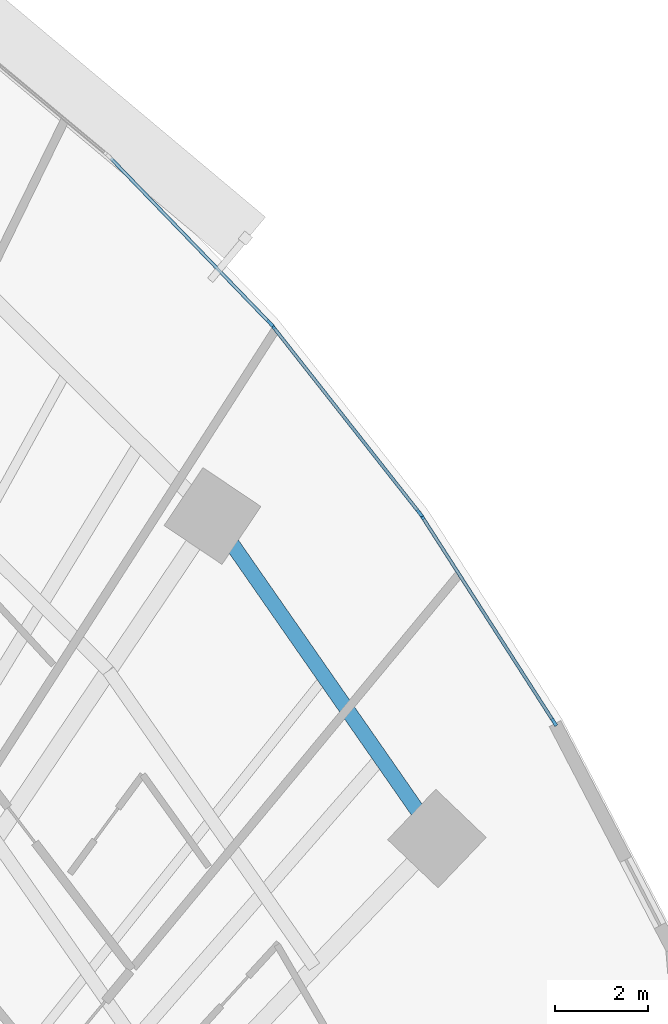
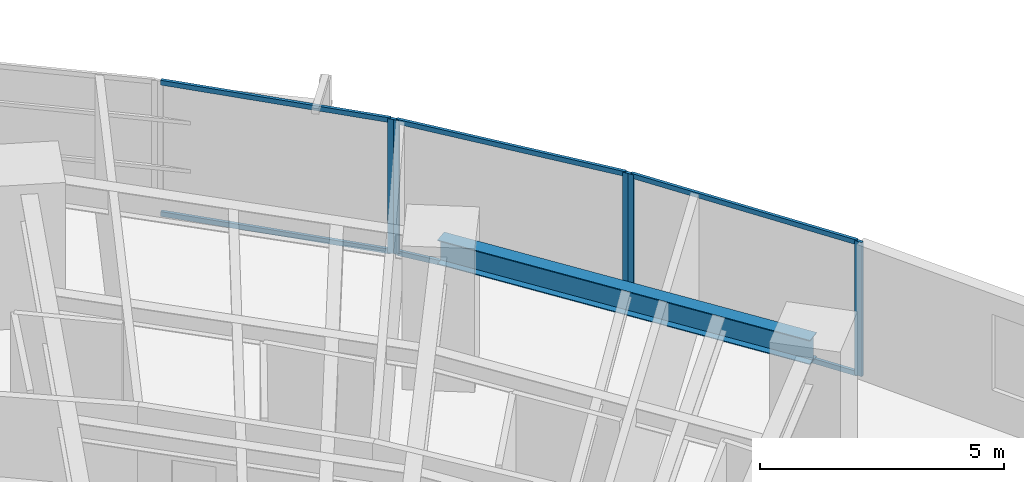
# One storey, part 8 of 17: 11 members, 1 beam, 3 elements without a shape of their own.
"""IFC4 building model written with IfcOpenShell, lengths in metres."""

import ifcopenshell
import ifcopenshell.guid

model = None  # the IFC model being written
_history = None  # IfcOwnerHistory: only IFC2X3 demands one
_inside = {}  # id of a spatial element -> (the spatial element, [elements in it])
_under = {}  # id of a project, library or spatial element -> (it, [spatial elements below it])
_declared = {}  # id of a project -> (the project, [libraries it declares])
_typed = {}  # id of a type object -> (the type object, [elements of that type])
_made_of = {}  # id of a material, layer set ... -> (it, [elements and type objects made of it])


def new_model(schema):
    """Start an empty IFC model of exactly this schema.

    Asked for "IFC4X3", IfcOpenShell would pick the latest addendum, in which some entities
    have other attributes; the version numbers below select the first issue.
    IFC2X3 requires an IfcOwnerHistory on every rooted entity: one is made here for all.
    """
    global model, _history
    if schema == "IFC4X3":
        model = ifcopenshell.file(schema_version=(4, 3, 0, 0))
    else:
        model = ifcopenshell.file(schema=schema)
    _inside.clear()
    _under.clear()
    _declared.clear()
    _typed.clear()
    _made_of.clear()
    _history = None
    if model.schema == "IFC2X3":
        org = make("IfcOrganization", Name="unknown")
        user = make(
            "IfcPersonAndOrganization",
            ThePerson=make("IfcPerson", FamilyName="unknown"),
            TheOrganization=org,
        )
        app = make(
            "IfcApplication",
            ApplicationDeveloper=org,
            Version="unknown",
            ApplicationFullName="unknown",
            ApplicationIdentifier="unknown",
        )
        _history = make(
            "IfcOwnerHistory",
            OwningUser=user,
            OwningApplication=app,
            ChangeAction="ADDED",
            CreationDate=0,
        )
    return model


def make(cls, **values):
    """One entity of the class cls with the attributes given. An attribute that is None is left unset."""
    return model.create_entity(
        cls, **{name: value for name, value in values.items() if value is not None}
    )


def rooted(cls, **values):
    """An entity with a GlobalId (a new one), such as an element, a storey or a relation."""
    return make(cls, GlobalId=ifcopenshell.guid.new(), OwnerHistory=_history, **values)


def si_unit(unit_type, name, prefix=None):
    """IfcSIUnit, for example si_unit("LENGTHUNIT", "METRE", prefix="MILLI")."""
    return make("IfcSIUnit", UnitType=unit_type, Prefix=prefix, Name=name)


def assignment(units):
    """IfcUnitAssignment: the units of a project."""
    return None if units is None else make("IfcUnitAssignment", Units=units)


def point(xyz):
    """IfcCartesianPoint."""
    return None if xyz is None else make("IfcCartesianPoint", Coordinates=xyz)


def direction(xyz):
    """IfcDirection."""
    return None if xyz is None else make("IfcDirection", DirectionRatios=xyz)


def frame(location, z_axis=None, x_axis=None):
    """IfcAxis2Placement3D, a coordinate frame: its origin and axes. An axis left out is left unset."""
    return make(
        "IfcAxis2Placement3D",
        Location=point(location),
        Axis=direction(z_axis),
        RefDirection=direction(x_axis),
    )


def frame_2d(location, x_axis=None):
    """IfcAxis2Placement2D, a coordinate frame in the plane: its origin and x axis."""
    return make(
        "IfcAxis2Placement2D", Location=point(location), RefDirection=direction(x_axis)
    )


def origin():
    """The frame at (0, 0, 0) with its axes left unset."""
    return frame((0.0, 0.0, 0.0))


def origin_2d():
    """The frame at (0, 0) in the plane with its x axis left unset."""
    return frame_2d((0.0, 0.0))


def place(relative_to, where):
    """IfcLocalPlacement: puts the frame where relative to a parent placement (None: the world)."""
    return make(
        "IfcLocalPlacement", PlacementRelTo=relative_to, RelativePlacement=where
    )


def context(
    kind, dimensions, precision=None, world=None, true_north=None, identifier=None
):
    """IfcGeometricRepresentationContext, for example the 3D "Model" context."""
    return make(
        "IfcGeometricRepresentationContext",
        ContextIdentifier=identifier,
        ContextType=kind,
        CoordinateSpaceDimension=dimensions,
        Precision=precision,
        WorldCoordinateSystem=world,
        TrueNorth=true_north,
    )


def subcontext(parent, identifier, kind, view, scale=None):
    """IfcGeometricRepresentationSubContext, for example "Body" below "Model"."""
    return make(
        "IfcGeometricRepresentationSubContext",
        ContextIdentifier=identifier,
        ContextType=kind,
        ParentContext=parent,
        TargetScale=scale,
        TargetView=view,
    )


def project(units=None, contexts=None):
    """IfcProject with its units and contexts."""
    return rooted(
        "IfcProject",
        Name="project",
        RepresentationContexts=contexts,
        UnitsInContext=assignment(units),
    )


def spatial(cls, under=None, at=None, **own):
    """A site, building, storey or space (cls), placed at a placement, below another one or the project."""
    s = rooted(cls, ObjectPlacement=at, **own)
    if under is not None:
        _under.setdefault(under.id(), (under, []))[1].append(s)
    return s


def profile(cls, at=None, kind="AREA", **sizes):
    """A parametric profile (cls). Its sizes go by their IFC names, for example OverallWidth=200.0."""
    return make(cls, ProfileType=kind, Position=at, **sizes)


def rectangle(**sizes):
    """IfcRectangleProfileDef."""
    return profile("IfcRectangleProfileDef", **sizes)


def i_section(**sizes):
    """IfcIShapeProfileDef."""
    return profile("IfcIShapeProfileDef", **sizes)


def extrude(swept, where, along, depth):
    """IfcExtrudedAreaSolid: the profile swept, set in the frame where, extruded along a direction by depth."""
    return make(
        "IfcExtrudedAreaSolid",
        SweptArea=swept,
        Position=where,
        ExtrudedDirection=direction(along),
        Depth=depth,
    )


def shape(context_of_items, identifier, shape_type, items):
    """IfcShapeRepresentation: the items that make up one representation, for example the "Body"."""
    return make(
        "IfcShapeRepresentation",
        ContextOfItems=context_of_items,
        RepresentationIdentifier=identifier,
        RepresentationType=shape_type,
        Items=items,
    )


def source(mapping_origin, context_of_items, identifier, shape_type, items):
    """IfcRepresentationMap: a shape defined once, which mapped items show again and again."""
    return make(
        "IfcRepresentationMap",
        MappingOrigin=mapping_origin,
        MappedRepresentation=shape(context_of_items, identifier, shape_type, items),
    )


def transform(
    local_origin,
    x_axis=None,
    y_axis=None,
    z_axis=None,
    scale=None,
    scale2=None,
    scale3=None,
    uniform=True,
):
    """IfcCartesianTransformationOperator3D, or its non-uniform kind. x_axis, y_axis, z_axis: its Axis1, 2, 3."""
    if uniform:
        return make(
            "IfcCartesianTransformationOperator3D",
            Axis1=direction(x_axis),
            Axis2=direction(y_axis),
            LocalOrigin=point(local_origin),
            Scale=scale,
            Axis3=direction(z_axis),
        )
    return make(
        "IfcCartesianTransformationOperator3DnonUniform",
        Axis1=direction(x_axis),
        Axis2=direction(y_axis),
        LocalOrigin=point(local_origin),
        Scale=scale,
        Axis3=direction(z_axis),
        Scale2=scale2,
        Scale3=scale3,
    )


def mapped(mapping_source, mapping_target):
    """IfcMappedItem: shows the shape of a source again, moved by a transform."""
    return make(
        "IfcMappedItem", MappingSource=mapping_source, MappingTarget=mapping_target
    )


def material(Name=None, Category=None):
    """IfcMaterial."""
    return make("IfcMaterial", Name=Name, Category=Category)


def layer(
    of_material, thickness, ventilated=None, Name=None, Category=None, Priority=None
):
    """IfcMaterialLayer: one layer of a wall or slab, of a material (None: an air gap)."""
    return make(
        "IfcMaterialLayer",
        Material=of_material,
        LayerThickness=thickness,
        IsVentilated=ventilated,
        Name=Name,
        Category=Category,
        Priority=Priority,
    )


def layer_set(layers, Name=None):
    """IfcMaterialLayerSet."""
    return make("IfcMaterialLayerSet", MaterialLayers=layers, LayerSetName=Name)


def material_profile(
    of_material, cross_section, Name=None, Category=None, Priority=None
):
    """IfcMaterialProfile: a cross section and its material."""
    return make(
        "IfcMaterialProfile",
        Name=Name,
        Material=of_material,
        Profile=cross_section,
        Priority=Priority,
        Category=Category,
    )


def profile_set(profiles, Name=None, composite=None):
    """IfcMaterialProfileSet."""
    return make(
        "IfcMaterialProfileSet",
        Name=Name,
        MaterialProfiles=profiles,
        CompositeProfile=composite,
    )


def made_of(thing, what):
    """Note that an element or type object is made of a material, layer set ...; save() writes the relation."""
    if what is not None:
        _made_of.setdefault(what.id(), (what, []))[1].append(thing)
    return thing


def type_object(cls, material=None, **own):
    """A type object (cls), such as IfcWallType, which elements share."""
    return made_of(rooted(cls, **own), material)


def element(
    cls,
    number,
    at=None,
    inside=None,
    cuts=None,
    type_object=None,
    material=None,
    context=None,
    identifier="Body",
    shape_type=None,
    held_by="IfcProductDefinitionShape",
    body=None,
    shapes=None,
    **own,
):
    """One element of the class cls, such as IfcWall. Its Tag is "e" and its number.

    at: its placement. inside: the storey or other place that contains it. cuts: it is an
    opening in that element (IfcRelVoidsElement). A single representation is given by context,
    identifier, shape_type and body (its items); several are given by shapes. held_by: the class
    of the entity that holds the representations. save() writes the other relations.
    """
    e = rooted(cls, Tag="e%d" % number, ObjectPlacement=at, **own)
    if body is not None:
        shapes = [shape(context, identifier, shape_type, body)]
    if shapes is not None:
        e.Representation = make(held_by, Representations=shapes)
    if inside is not None:
        _inside.setdefault(inside.id(), (inside, []))[1].append(e)
    if cuts is not None:
        rooted(
            "IfcRelVoidsElement", RelatingBuildingElement=cuts, RelatedOpeningElement=e
        )
    if type_object is not None:
        _typed.setdefault(type_object.id(), (type_object, []))[1].append(e)
    return made_of(e, material)


def aggregate(whole, parts):
    """IfcRelAggregates: a whole, such as a stair, and the parts it consists of."""
    return rooted("IfcRelAggregates", RelatingObject=whole, RelatedObjects=parts)


def save(model, path):
    """Write the relations noted so far, then the file.

    IfcRelAggregates (storeys below a building ...), IfcRelContainedInSpatialStructure (elements
    in a storey), IfcRelDefinesByType, IfcRelAssociatesMaterial and IfcRelDeclares: one each for
    every whole, place, type object, material and project.
    """
    for whole, parts in _under.values():
        aggregate(whole, parts)
    for where, things in _inside.values():
        rooted(
            "IfcRelContainedInSpatialStructure",
            RelatedElements=things,
            RelatingStructure=where,
        )
    for kind, things in _typed.values():
        rooted("IfcRelDefinesByType", RelatedObjects=things, RelatingType=kind)
    for what, things in _made_of.values():
        rooted("IfcRelAssociatesMaterial", RelatedObjects=things, RelatingMaterial=what)
    for by, libraries in _declared.values():
        rooted("IfcRelDeclares", RelatingContext=by, RelatedDefinitions=libraries)
    model.write(path)


model = new_model("IFC4")

# Units and contexts
model_context = context("Model", 3, precision=1e-05, world=origin(), true_north=direction((0.0, 1.0)))
body_context = subcontext(model_context, "Body", "Model", "MODEL_VIEW")
ifc_project = project(units=[si_unit("LENGTHUNIT", "METRE"), si_unit("AREAUNIT", "SQUARE_METRE"), si_unit("VOLUMEUNIT", "CUBIC_METRE"), si_unit("PLANEANGLEUNIT", "RADIAN"), si_unit("MASSUNIT", "GRAM", prefix="KILO")], contexts=[model_context])

# Site, building, storey
site_placement = place(None, origin())
site = spatial("IfcSite", under=ifc_project, at=site_placement, CompositionType="ELEMENT")
building_placement = place(site_placement, origin())
building = spatial("IfcBuilding", under=site, at=building_placement, Name="Breltana Convention Tower", CompositionType="ELEMENT")
storey_placement = place(building_placement, frame((0.0, 0.0, 60.60009765625)))
storey = spatial("IfcBuildingStorey", under=building, at=storey_placement, Name="L13", CompositionType="ELEMENT", Elevation=60.60009765625)

# Beam
ifc_material_1 = material(Name="Steel ASTM A992 Grade 50", Category="steel")
ifc_material_profile_1 = material_profile(ifc_material_1, i_section(OverallWidth=0.323974609375, OverallDepth=0.611083984375, WebThickness=0.0126953125, FlangeThickness=0.01904296875, at=origin_2d()), Name="W24X104")
ifc_profile_set_1 = profile_set([ifc_material_profile_1], Name="Steel ASTM A992 Grade 50")
beam_type = type_object("IfcBeamType", Name="BM-SP-W24X104", PredefinedType="SPANDREL", material=ifc_profile_set_1)
shared_shape_1 = source(origin(), body_context, "Body", "SweptSolid", [
    extrude(i_section(OverallWidth=0.323974609375, OverallDepth=0.611083984375, WebThickness=0.0126953125, FlangeThickness=0.01904296875, at=origin_2d()), origin(), (0.0, 0.0, 1.0), 8.44970703125),
])
beam_placement = place(storey_placement, frame((75.166748046875, 62.43017578125, 3.054443359375), z_axis=(0.5711855381, -0.820820979913, 0.0), x_axis=(0.820820979913, 0.5711855381, 0.0)))
element("IfcBeam", 1, at=beam_placement, inside=storey, type_object=beam_type, Name="L13 Outer Spandrel Beam 10", PredefinedType="SPANDREL", context=body_context, shape_type="MappedRepresentation", body=[
    mapped(shared_shape_1, transform((0.0, 0.0, 0.0), scale=1.0)),
])

# Curtain wall, members
ifc_material_2 = material(Name="Aluminium Anodised Bronze Frame", Category="aluminium")
ifc_layer = layer(ifc_material_2, 0.199951171875, Name="Aluminium Anodised Bronze Frame")
ifc_layer_set = layer_set([ifc_layer], Name="Aluminium Anodised Bronze Frame")
curtain_wall_type = type_object("IfcCurtainWallType", Name="CW-SYS-2", PredefinedType="NOTDEFINED", material=ifc_layer_set)
curtain_wall_1_placement = place(storey_placement, origin())
curtain_wall_1 = element("IfcCurtainWall", 2, at=curtain_wall_1_placement, inside=storey, type_object=curtain_wall_type, Name="L13 outer double-skin inner glazing 17", PredefinedType="NOTDEFINED")
ifc_material_3 = material(Name="Aluminium Anodised Bronze", Category="aluminium")
ifc_material_profile_2 = material_profile(ifc_material_3, rectangle(XDim=0.070068359375, YDim=0.1201171875, at=origin_2d()), Name="CWT-70X120")
ifc_profile_set_2 = profile_set([ifc_material_profile_2], Name="Aluminium Anodised Bronze")
member_type_1 = type_object("IfcMemberType", Name="CWT-120", PredefinedType="USERDEFINED", material=ifc_profile_set_2)
shared_shape_2 = source(origin(), body_context, "Body", "SweptSolid", [
    extrude(rectangle(XDim=0.070068359375, YDim=0.1201171875, at=origin_2d()), origin(), (0.0, 0.0, 1.0), 5.0546875),
])
member_1_placement = place(storey_placement, frame((76.4765625, 66.491455078125, 0.034912109375), z_axis=(0.618135067667, -0.786071903913, 0.0), x_axis=(0.786071903913, 0.618135067667, 0.0)))
member_1 = element("IfcMember", 3, at=member_1_placement, type_object=member_type_1, Name="CW-02 transom 1.1", ObjectType="TRANSOM", PredefinedType="USERDEFINED", context=body_context, shape_type="MappedRepresentation", body=[
    mapped(shared_shape_2, transform((0.0, 0.0, 0.0), scale=1.0)),
])
member_2_placement = place(storey_placement, frame((76.4765625, 66.491455078125, 3.324951171875), z_axis=(0.618135067667, -0.786071903913, 0.0), x_axis=(0.786071903913, 0.618135067667, 0.0)))
member_2 = element("IfcMember", 4, at=member_2_placement, type_object=member_type_1, Name="CW-02 transom 1.2", ObjectType="TRANSOM", PredefinedType="USERDEFINED", context=body_context, shape_type="MappedRepresentation", body=[
    mapped(shared_shape_2, transform((0.0, 0.0, 0.0), scale=1.0)),
])

curtain_wall_2_placement = place(storey_placement, origin())
curtain_wall_2 = element("IfcCurtainWall", 5, at=curtain_wall_2_placement, inside=storey, type_object=curtain_wall_type, Name="L13 outer double-skin inner glazing 16", PredefinedType="NOTDEFINED")
shared_shape_3 = source(origin(), body_context, "Body", "SweptSolid", [
    extrude(rectangle(XDim=0.070068359375, YDim=0.1201171875, at=origin_2d()), origin(), (0.0, 0.0, 1.0), 4.901123046875),
])
member_3_placement = place(storey_placement, frame((72.980224609375, 70.12255859375, 0.034912109375), z_axis=(0.6945945137, -0.719401460617, 0.0), x_axis=(0.719401460617, 0.6945945137, 0.0)))
member_3 = element("IfcMember", 6, at=member_3_placement, type_object=member_type_1, Name="CW-02 transom 1.1", ObjectType="TRANSOM", PredefinedType="USERDEFINED", context=body_context, shape_type="MappedRepresentation", body=[
    mapped(shared_shape_3, transform((0.0, 0.0, 0.0), scale=1.0)),
])
member_4_placement = place(storey_placement, frame((72.980224609375, 70.12255859375, 3.324951171875), z_axis=(0.6945945137, -0.719401460617, 0.0), x_axis=(0.719401460617, 0.6945945137, 0.0)))
member_4 = element("IfcMember", 7, at=member_4_placement, type_object=member_type_1, Name="CW-02 transom 1.2", ObjectType="TRANSOM", PredefinedType="USERDEFINED", context=body_context, shape_type="MappedRepresentation", body=[
    mapped(shared_shape_3, transform((0.0, 0.0, 0.0), scale=1.0)),
])

curtain_wall_3_placement = place(storey_placement, origin())
curtain_wall_3 = element("IfcCurtainWall", 8, at=curtain_wall_3_placement, inside=storey, type_object=curtain_wall_type, Name="L13 outer double-skin inner glazing 18", PredefinedType="NOTDEFINED")
shared_shape_4 = source(origin(), body_context, "Body", "SweptSolid", [
    extrude(rectangle(XDim=0.070068359375, YDim=0.1201171875, at=origin_2d()), origin(), (0.0, 0.0, 1.0), 5.205810546875),
])
member_5_placement = place(storey_placement, frame((79.68212890625, 62.404296875, 0.034912109375), z_axis=(0.540179102764, -0.841550079875, 0.0), x_axis=(0.841550079875, 0.540179102764, 0.0)))
member_5 = element("IfcMember", 9, at=member_5_placement, type_object=member_type_1, Name="CW-02 transom 1.1", ObjectType="TRANSOM", PredefinedType="USERDEFINED", context=body_context, shape_type="MappedRepresentation", body=[
    mapped(shared_shape_4, transform((0.0, 0.0, 0.0), scale=1.0)),
])
member_6_placement = place(storey_placement, frame((79.68212890625, 62.404296875, 3.324951171875), z_axis=(0.540179102764, -0.841550079875, 0.0), x_axis=(0.841550079875, 0.540179102764, 0.0)))
member_6 = element("IfcMember", 10, at=member_6_placement, type_object=member_type_1, Name="CW-02 transom 1.2", ObjectType="TRANSOM", PredefinedType="USERDEFINED", context=body_context, shape_type="MappedRepresentation", body=[
    mapped(shared_shape_4, transform((0.0, 0.0, 0.0), scale=1.0)),
])

# Member
ifc_material_profile_3 = material_profile(ifc_material_3, rectangle(XDim=0.070068359375, YDim=0.175048828125, at=origin_2d()), Name="CWM-70X175")
ifc_profile_set_3 = profile_set([ifc_material_profile_3], Name="Aluminium Anodised Bronze")
member_type_2 = type_object("IfcMemberType", Name="CWM-175", PredefinedType="MULLION", material=ifc_profile_set_3)
shared_shape_5 = source(origin(), body_context, "Body", "SweptSolid", [
    extrude(rectangle(XDim=0.070068359375, YDim=0.175048828125, at=origin_2d()), origin(), (0.0, 0.0, 1.0), 3.35986328125),
])
member_7_placement = place(storey_placement, frame((76.408935546875, 66.571533203125, 0.0), z_axis=(0.0, 0.0, 1.0), x_axis=(0.719386421003, 0.694610090106, 0.0)))
member_7 = element("IfcMember", 11, at=member_7_placement, type_object=member_type_2, Name="CW-02 mullion 2", PredefinedType="MULLION", context=body_context, shape_type="MappedRepresentation", body=[
    mapped(shared_shape_5, transform((0.0, 0.0, 0.0), scale=1.0)),
])

aggregate(curtain_wall_2, [member_7, member_3, member_4])

member_8_placement = place(storey_placement, frame((76.454833984375, 66.518798828125, 0.0), z_axis=(0.0, 0.0, 1.0), x_axis=(0.786057080698, 0.618153917633, 0.0)))
member_8 = element("IfcMember", 12, at=member_8_placement, type_object=member_type_2, Name="CW-02 mullion 1", PredefinedType="MULLION", context=body_context, shape_type="MappedRepresentation", body=[
    mapped(shared_shape_5, transform((0.0, 0.0, 0.0), scale=1.0)),
])

member_9_placement = place(storey_placement, frame((79.62255859375, 62.49072265625, 0.0), z_axis=(0.0, 0.0, 1.0), x_axis=(0.786057080698, 0.618153917633, 0.0)))
member_9 = element("IfcMember", 13, at=member_9_placement, type_object=member_type_2, Name="CW-02 mullion 2", PredefinedType="MULLION", context=body_context, shape_type="MappedRepresentation", body=[
    mapped(shared_shape_5, transform((0.0, 0.0, 0.0), scale=1.0)),
])

aggregate(curtain_wall_1, [member_8, member_9, member_1, member_2])

member_10_placement = place(storey_placement, frame((79.6630859375, 62.43359375, 0.0), z_axis=(0.0, 0.0, 1.0), x_axis=(0.841549039154, 0.540180724109, 0.0)))
member_10 = element("IfcMember", 14, at=member_10_placement, type_object=member_type_2, Name="CW-02 mullion 1", PredefinedType="MULLION", context=body_context, shape_type="MappedRepresentation", body=[
    mapped(shared_shape_5, transform((0.0, 0.0, 0.0), scale=1.0)),
])

member_11_placement = place(storey_placement, frame((82.512939453125, 57.993896484375, 0.0), z_axis=(0.0, 0.0, 1.0), x_axis=(0.841549039154, 0.540180724109, 0.0)))
member_11 = element("IfcMember", 15, at=member_11_placement, type_object=member_type_2, Name="CW-02 mullion 2", PredefinedType="MULLION", context=body_context, shape_type="MappedRepresentation", body=[
    mapped(shared_shape_5, transform((0.0, 0.0, 0.0), scale=1.0)),
])

aggregate(curtain_wall_3, [member_10, member_11, member_5, member_6])

save(model, "model.ifc")
